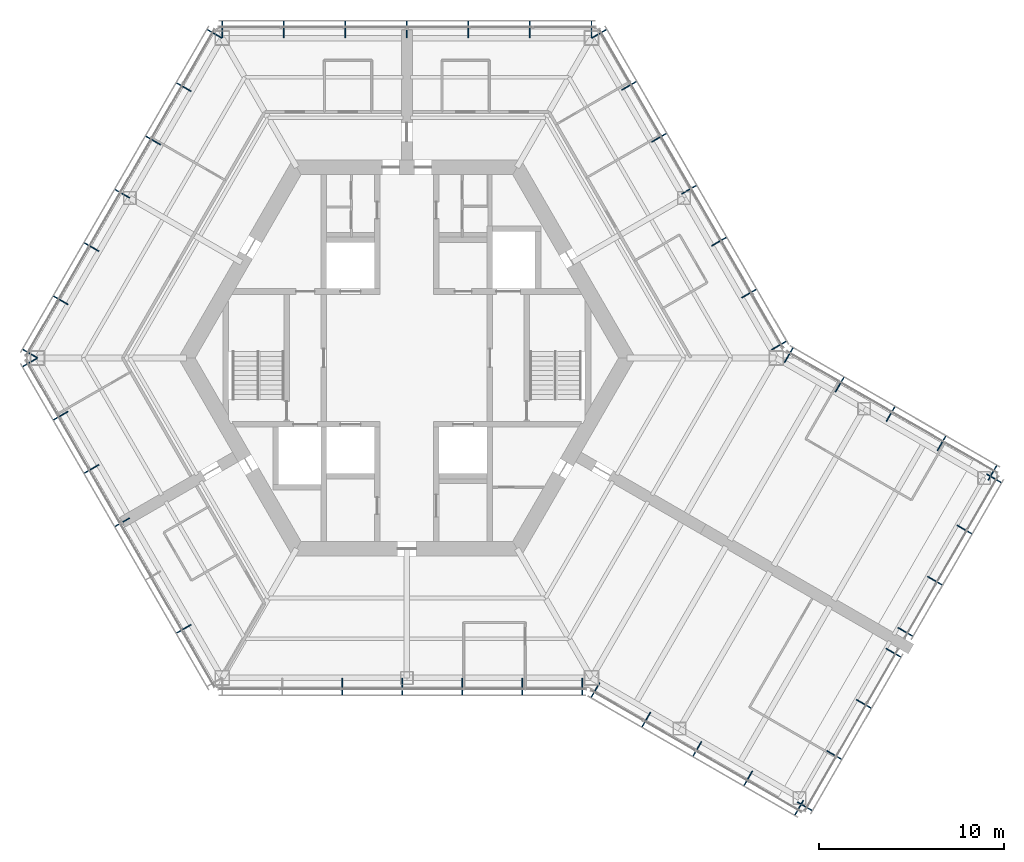
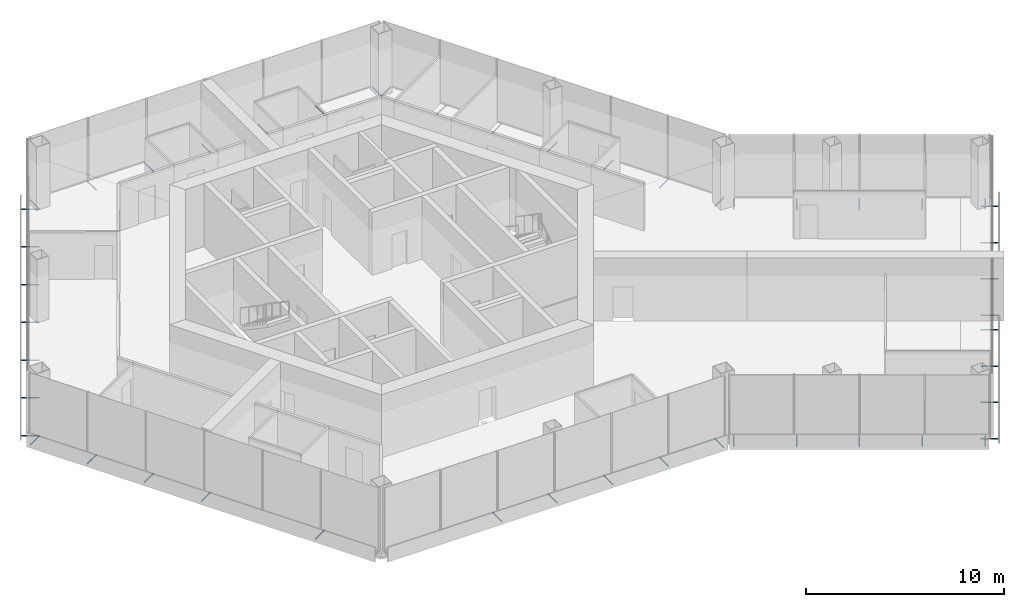
# One storey, part 14 of 15: 49 discrete accessories.
"""IFC4 building model written with IfcOpenShell, lengths in metres."""

from ifc_helpers import new_model, si_unit, direction, frame, origin, origin_2d, place, context, subcontext, project, spatial, hollow_circle, extrude, material, material_profile, profile_set, type_object, element, save


model = new_model("IFC4")

# Units and contexts
model_context = context("Model", 3, precision=1e-05, world=origin(), true_north=direction((0.0, 1.0)))
body_context = subcontext(model_context, "Body", "Model", "MODEL_VIEW")
ifc_project = project(units=[si_unit("LENGTHUNIT", "METRE"), si_unit("AREAUNIT", "SQUARE_METRE"), si_unit("VOLUMEUNIT", "CUBIC_METRE"), si_unit("PLANEANGLEUNIT", "RADIAN"), si_unit("MASSUNIT", "GRAM", prefix="KILO")], contexts=[model_context])

# Site, building, storey
site_placement = place(None, origin())
site = spatial("IfcSite", under=ifc_project, at=site_placement, CompositionType="ELEMENT")
building_placement = place(site_placement, origin())
building = spatial("IfcBuilding", under=site, at=building_placement, Name="Kasaneha Research Tower", CompositionType="ELEMENT")
storey_placement = place(building_placement, frame((0.0, 0.0, 244.0)))
storey = spatial("IfcBuildingStorey", under=building, at=storey_placement, Name="L61", CompositionType="ELEMENT", Elevation=244.0)

# Discrete accessories
ifc_material = material(Name="Steel STK400", Category="steel")
ifc_material_profile = material_profile(ifc_material, hollow_circle(Radius=0.0380859375, WallThickness=0.00390625, at=origin_2d()), Name="CHS-76.3x4.0")
ifc_profile_set = profile_set([ifc_material_profile], Name="Steel STK400")
discrete_accessory_type = type_object("IfcDiscreteAccessoryType", Name="Screen bracket CHS-76.3x4.0", PredefinedType="BRACKET", material=ifc_profile_set)
for number, where, z_axis, x_axis, name in (
    (1, (19.74462890625, 0.4423828125, -0.300048828125), (0.866013213425, 0.500021113727, 0.0), (-0.500021113727, 0.866013213425, 0.0), "Screen bracket 1"),
    (2, (18.120849609375, 3.2548828125, -0.300048828125), (0.866013213425, 0.500021113727, 0.0), (-0.500021113727, 0.866013213425, 0.0), "Screen bracket 2"),
    (3, (16.4970703125, 6.0673828125, -0.300048828125), (0.866013213425, 0.500021113727, 0.0), (-0.500021113727, 0.866013213425, 0.0), "Screen bracket 3"),
    (4, (14.873291015625, 8.8798828125, -0.300048828125), (0.866013213425, 0.500021113727, 0.0), (-0.500021113727, 0.866013213425, 0.0), "Screen bracket 4"),
    (5, (13.24951171875, 11.6923828125, -0.300048828125), (0.866013213425, 0.500021113727, 0.0), (-0.500021113727, 0.866013213425, 0.0), "Screen bracket 5"),
):
    element("IfcDiscreteAccessory", number, at=place(storey_placement, frame(where, z_axis=z_axis, x_axis=x_axis)), inside=storey, type_object=discrete_accessory_type, Name=name, PredefinedType="BRACKET", context=body_context, shape_type="SweptSolid", body=[
        extrude(hollow_circle(Radius=0.0380859375, WallThickness=0.00390625, at=origin_2d()), origin(), (0.0, 0.0, 1.0), 0.919921875),
    ])
for number, where, z_axis, x_axis, name in (
    (6, (11.62548828125, 14.5048828125, -0.300048828125), (0.866079547155, 0.499906209203, 0.0), (-0.499906209203, 0.866079547155, 0.0), "Screen bracket 6"),
    (7, (10.001708984375, 17.3173828125, -0.300048828125), (0.866079547155, 0.499906209203, 0.0), (-0.499906209203, 0.866079547155, 0.0), "Screen bracket 7"),
):
    element("IfcDiscreteAccessory", number, at=place(storey_placement, frame(where, z_axis=z_axis, x_axis=x_axis)), inside=storey, type_object=discrete_accessory_type, Name=name, PredefinedType="BRACKET", context=body_context, shape_type="SweptSolid", body=[
        extrude(hollow_circle(Radius=0.0380859375, WallThickness=0.00390625, at=origin_2d()), origin(), (0.0, 0.0, 1.0), 0.920166015625),
    ])
for number, where, z_axis, x_axis, name in (
    (8, (9.996337890625, 17.320556640625, -0.300048828125), (0.0, 1.0, 0.0), (-1.0, 0.0, 0.0), "Screen bracket 1"),
    (9, (6.664306640625, 17.320556640625, -0.300048828125), (0.0, 1.0, 0.0), (-1.0, 0.0, 0.0), "Screen bracket 2"),
    (10, (3.33203125, 17.320556640625, -0.300048828125), (0.0, 1.0, 0.0), (-1.0, 0.0, 0.0), "Screen bracket 3"),
    (11, (0.0, 17.320556640625, -0.300048828125), (0.0, 1.0, 0.0), (-1.0, 0.0, 0.0), "Screen bracket 4"),
    (12, (-3.33203125, 17.320556640625, -0.300048828125), (0.0, 1.0, 0.0), (-1.0, 0.0, 0.0), "Screen bracket 5"),
    (13, (-6.664306640625, 17.320556640625, -0.300048828125), (0.0, 1.0, 0.0), (-1.0, 0.0, 0.0), "Screen bracket 6"),
    (14, (-9.996337890625, 17.320556640625, -0.300048828125), (0.0, 1.0, 0.0), (-1.0, 0.0, 0.0), "Screen bracket 7"),
):
    element("IfcDiscreteAccessory", number, at=place(storey_placement, frame(where, z_axis=z_axis, x_axis=x_axis)), inside=storey, type_object=discrete_accessory_type, Name=name, PredefinedType="BRACKET", context=body_context, shape_type="SweptSolid", body=[
        extrude(hollow_circle(Radius=0.0380859375, WallThickness=0.00390625, at=origin_2d()), origin(), (0.0, 0.0, 1.0), 0.919921875),
    ])
discrete_accessory_1_placement = place(storey_placement, frame((-10.001708984375, 17.3173828125, -0.300048828125), z_axis=(-0.866079547155, 0.499906209203, 0.0), x_axis=(-0.499906209203, -0.866079547155, 0.0)))
element("IfcDiscreteAccessory", 15, at=discrete_accessory_1_placement, inside=storey, type_object=discrete_accessory_type, Name="Screen bracket 1", PredefinedType="BRACKET", context=body_context, shape_type="SweptSolid", body=[
    extrude(hollow_circle(Radius=0.0380859375, WallThickness=0.00390625, at=origin_2d()), origin(), (0.0, 0.0, 1.0), 0.920166015625),
])
for number, where, z_axis, x_axis, name in (
    (16, (-11.66796875, 14.431640625, -0.300048828125), (-0.866013213425, 0.500021113727, 0.0), (-0.500021113727, -0.866013213425, 0.0), "Screen bracket 2"),
    (17, (-13.333984375, 11.5458984375, -0.300048828125), (-0.866013213425, 0.500021113727, 0.0), (-0.500021113727, -0.866013213425, 0.0), "Screen bracket 3"),
    (18, (-15.0, 8.66015625, -0.300048828125), (-0.865898279276, 0.500220121494, 0.0), (-0.500220121494, -0.865898279276, 0.0), "Screen bracket 4"),
):
    element("IfcDiscreteAccessory", number, at=place(storey_placement, frame(where, z_axis=z_axis, x_axis=x_axis)), inside=storey, type_object=discrete_accessory_type, Name=name, PredefinedType="BRACKET", context=body_context, shape_type="SweptSolid", body=[
        extrude(hollow_circle(Radius=0.0380859375, WallThickness=0.00390625, at=origin_2d()), origin(), (0.0, 0.0, 1.0), 0.919921875),
    ])
for number, where, z_axis, x_axis, name in (
    (19, (-16.666015625, 5.774658203125, -0.300048828125), (-0.866079547155, 0.499906209203, 0.0), (-0.499906209203, -0.866079547155, 0.0), "Screen bracket 5"),
    (20, (-18.33203125, 2.888916015625, -0.300048828125), (-0.866079547155, 0.499906209203, 0.0), (-0.499906209203, -0.866079547155, 0.0), "Screen bracket 6"),
):
    element("IfcDiscreteAccessory", number, at=place(storey_placement, frame(where, z_axis=z_axis, x_axis=x_axis)), inside=storey, type_object=discrete_accessory_type, Name=name, PredefinedType="BRACKET", context=body_context, shape_type="SweptSolid", body=[
        extrude(hollow_circle(Radius=0.0380859375, WallThickness=0.00390625, at=origin_2d()), origin(), (0.0, 0.0, 1.0), 0.920166015625),
    ])
for number, where, z_axis, x_axis, name in (
    (21, (-19.998291015625, 0.003173828125, -0.300048828125), (-0.866013213425, 0.500021113727, 0.0), (-0.500021113727, -0.866013213425, 0.0), "Screen bracket 7"),
    (22, (-19.998291015625, -0.003173828125, -0.300048828125), (-0.866013213425, -0.500021113727, 0.0), (0.500021113727, -0.866013213425, 0.0), "Screen bracket 1"),
):
    element("IfcDiscreteAccessory", number, at=place(storey_placement, frame(where, z_axis=z_axis, x_axis=x_axis)), inside=storey, type_object=discrete_accessory_type, Name=name, PredefinedType="BRACKET", context=body_context, shape_type="SweptSolid", body=[
        extrude(hollow_circle(Radius=0.0380859375, WallThickness=0.00390625, at=origin_2d()), origin(), (0.0, 0.0, 1.0), 0.919921875),
    ])
for number, where, z_axis, x_axis, name in (
    (23, (-18.33203125, -2.888916015625, -0.300048828125), (-0.866079547155, -0.499906209203, 0.0), (0.499906209203, -0.866079547155, 0.0), "Screen bracket 2"),
    (24, (-16.666015625, -5.774658203125, -0.300048828125), (-0.866079547155, -0.499906209203, 0.0), (0.499906209203, -0.866079547155, 0.0), "Screen bracket 3"),
):
    element("IfcDiscreteAccessory", number, at=place(storey_placement, frame(where, z_axis=z_axis, x_axis=x_axis)), inside=storey, type_object=discrete_accessory_type, Name=name, PredefinedType="BRACKET", context=body_context, shape_type="SweptSolid", body=[
        extrude(hollow_circle(Radius=0.0380859375, WallThickness=0.00390625, at=origin_2d()), origin(), (0.0, 0.0, 1.0), 0.920166015625),
    ])
for number, where, z_axis, x_axis, name in (
    (25, (-15.0, -8.66015625, -0.300048828125), (-0.865898279276, -0.500220121494, 0.0), (0.500220121494, -0.865898279276, 0.0), "Screen bracket 4"),
    (26, (-11.66796875, -14.431640625, -0.300048828125), (-0.866013213425, -0.500021113727, 0.0), (0.500021113727, -0.866013213425, 0.0), "Screen bracket 6"),
    (27, (-3.501220703125, -17.320556640625, -0.300048828125), (0.0, -1.0, 0.0), (1.0, 0.0, 0.0), "Screen bracket 3"),
    (28, (-0.253662109375, -17.320556640625, -0.300048828125), (0.0, -1.0, 0.0), (1.0, 0.0, 0.0), "Screen bracket 4"),
    (29, (2.993896484375, -17.320556640625, -0.300048828125), (0.0, -1.0, 0.0), (1.0, 0.0, 0.0), "Screen bracket 5"),
    (30, (6.24169921875, -17.320556640625, -0.300048828125), (0.0, -1.0, 0.0), (1.0, 0.0, 0.0), "Screen bracket 6"),
    (31, (9.4892578125, -17.320556640625, -0.300048828125), (0.0, -1.0, 0.0), (1.0, 0.0, 0.0), "Screen bracket 7"),
    (32, (10.4423828125, -17.575927734375, -0.300048828125), (-0.500021113727, -0.866013213425, 0.0), (0.866013213425, -0.500021113727, 0.0), "Screen bracket 1"),
):
    element("IfcDiscreteAccessory", number, at=place(storey_placement, frame(where, z_axis=z_axis, x_axis=x_axis)), inside=storey, type_object=discrete_accessory_type, Name=name, PredefinedType="BRACKET", context=body_context, shape_type="SweptSolid", body=[
        extrude(hollow_circle(Radius=0.0380859375, WallThickness=0.00390625, at=origin_2d()), origin(), (0.0, 0.0, 1.0), 0.919921875),
    ])
discrete_accessory_2_placement = place(storey_placement, frame((13.200439453125, -19.168212890625, -0.300048828125), z_axis=(-0.499906209203, -0.866079547155, 0.0), x_axis=(0.866079547155, -0.499906209203, 0.0)))
element("IfcDiscreteAccessory", 33, at=discrete_accessory_2_placement, inside=storey, type_object=discrete_accessory_type, Name="Screen bracket 2", PredefinedType="BRACKET", context=body_context, shape_type="SweptSolid", body=[
    extrude(hollow_circle(Radius=0.0380859375, WallThickness=0.00390625, at=origin_2d()), origin(), (0.0, 0.0, 1.0), 0.920166015625),
])
discrete_accessory_3_placement = place(storey_placement, frame((15.95849609375, -20.7607421875, -0.300048828125), z_axis=(-0.500021113727, -0.866013213425, 0.0), x_axis=(0.866013213425, -0.500021113727, 0.0)))
element("IfcDiscreteAccessory", 34, at=discrete_accessory_3_placement, inside=storey, type_object=discrete_accessory_type, Name="Screen bracket 3", PredefinedType="BRACKET", context=body_context, shape_type="SweptSolid", body=[
    extrude(hollow_circle(Radius=0.0380859375, WallThickness=0.00390625, at=origin_2d()), origin(), (0.0, 0.0, 1.0), 0.919921875),
])
discrete_accessory_4_placement = place(storey_placement, frame((18.716796875, -22.35302734375, -0.300048828125), z_axis=(-0.500105201737, -0.865964657013, 0.0), x_axis=(0.865964657013, -0.500105201737, 0.0)))
element("IfcDiscreteAccessory", 35, at=discrete_accessory_4_placement, inside=storey, type_object=discrete_accessory_type, Name="Screen bracket 4", PredefinedType="BRACKET", context=body_context, shape_type="SweptSolid", body=[
    extrude(hollow_circle(Radius=0.0380859375, WallThickness=0.00390625, at=origin_2d()), origin(), (0.0, 0.0, 1.0), 0.920166015625),
])
discrete_accessory_5_placement = place(storey_placement, frame((21.474853515625, -23.945556640625, -0.300048828125), z_axis=(-0.500021113727, -0.866013213425, 0.0), x_axis=(0.866013213425, -0.500021113727, 0.0)))
element("IfcDiscreteAccessory", 36, at=discrete_accessory_5_placement, inside=storey, type_object=discrete_accessory_type, Name="Screen bracket 5", PredefinedType="BRACKET", context=body_context, shape_type="SweptSolid", body=[
    extrude(hollow_circle(Radius=0.0380859375, WallThickness=0.00390625, at=origin_2d()), origin(), (0.0, 0.0, 1.0), 0.919921875),
])
discrete_accessory_6_placement = place(storey_placement, frame((21.13330078125, -24.037109375, -0.300048828125), z_axis=(0.866079547155, -0.499906209203, 0.0), x_axis=(0.499906209203, 0.866079547155, 0.0)))
element("IfcDiscreteAccessory", 37, at=discrete_accessory_6_placement, inside=storey, type_object=discrete_accessory_type, Name="Screen bracket 1", PredefinedType="BRACKET", context=body_context, shape_type="SweptSolid", body=[
    extrude(hollow_circle(Radius=0.0380859375, WallThickness=0.00390625, at=origin_2d()), origin(), (0.0, 0.0, 1.0), 0.920166015625),
])
discrete_accessory_7_placement = place(storey_placement, frame((22.7333984375, -21.265625, -0.300048828125), z_axis=(0.865898279276, -0.500220121494, 0.0), x_axis=(0.500220121494, 0.865898279276, 0.0)))
element("IfcDiscreteAccessory", 38, at=discrete_accessory_7_placement, inside=storey, type_object=discrete_accessory_type, Name="Screen bracket 2", PredefinedType="BRACKET", context=body_context, shape_type="SweptSolid", body=[
    extrude(hollow_circle(Radius=0.0380859375, WallThickness=0.00390625, at=origin_2d()), origin(), (0.0, 0.0, 1.0), 0.919921875),
])
discrete_accessory_8_placement = place(storey_placement, frame((24.333251953125, -18.494384765625, -0.300048828125), z_axis=(0.866079547155, -0.499906209203, 0.0), x_axis=(0.499906209203, 0.866079547155, 0.0)))
element("IfcDiscreteAccessory", 39, at=discrete_accessory_8_placement, inside=storey, type_object=discrete_accessory_type, Name="Screen bracket 3", PredefinedType="BRACKET", context=body_context, shape_type="SweptSolid", body=[
    extrude(hollow_circle(Radius=0.0380859375, WallThickness=0.00390625, at=origin_2d()), origin(), (0.0, 0.0, 1.0), 0.920166015625),
])
discrete_accessory_9_placement = place(storey_placement, frame((25.933349609375, -15.72314453125, -0.300048828125), z_axis=(0.866013213425, -0.500021113727, 0.0), x_axis=(0.500021113727, 0.866013213425, 0.0)))
element("IfcDiscreteAccessory", 40, at=discrete_accessory_9_placement, inside=storey, type_object=discrete_accessory_type, Name="Screen bracket 4", PredefinedType="BRACKET", context=body_context, shape_type="SweptSolid", body=[
    extrude(hollow_circle(Radius=0.0380859375, WallThickness=0.00390625, at=origin_2d()), origin(), (0.0, 0.0, 1.0), 0.919921875),
])
discrete_accessory_10_placement = place(storey_placement, frame((26.583251953125, -14.597412109375, -0.300048828125), z_axis=(0.866079547155, -0.499906209203, 0.0), x_axis=(0.499906209203, 0.866079547155, 0.0)))
element("IfcDiscreteAccessory", 41, at=discrete_accessory_10_placement, inside=storey, type_object=discrete_accessory_type, Name="Screen bracket 1", PredefinedType="BRACKET", context=body_context, shape_type="SweptSolid", body=[
    extrude(hollow_circle(Radius=0.0380859375, WallThickness=0.00390625, at=origin_2d()), origin(), (0.0, 0.0, 1.0), 0.920166015625),
])
for number, where, z_axis, x_axis, name in (
    (42, (28.183349609375, -11.826171875, -0.300048828125), (0.866013213425, -0.500021113727, 0.0), (0.500021113727, 0.866013213425, 0.0), "Screen bracket 2"),
    (43, (29.783447265625, -9.0546875, -0.300048828125), (0.865898279276, -0.500220121494, 0.0), (0.500220121494, 0.865898279276, 0.0), "Screen bracket 3"),
):
    element("IfcDiscreteAccessory", number, at=place(storey_placement, frame(where, z_axis=z_axis, x_axis=x_axis)), inside=storey, type_object=discrete_accessory_type, Name=name, PredefinedType="BRACKET", context=body_context, shape_type="SweptSolid", body=[
        extrude(hollow_circle(Radius=0.0380859375, WallThickness=0.00390625, at=origin_2d()), origin(), (0.0, 0.0, 1.0), 0.919921875),
    ])
discrete_accessory_11_placement = place(storey_placement, frame((31.38330078125, -6.283447265625, -0.300048828125), z_axis=(0.866079547155, -0.499906209203, 0.0), x_axis=(0.499906209203, 0.866079547155, 0.0)))
element("IfcDiscreteAccessory", 44, at=discrete_accessory_11_placement, inside=storey, type_object=discrete_accessory_type, Name="Screen bracket 4", PredefinedType="BRACKET", context=body_context, shape_type="SweptSolid", body=[
    extrude(hollow_circle(Radius=0.0380859375, WallThickness=0.00390625, at=origin_2d()), origin(), (0.0, 0.0, 1.0), 0.920166015625),
])
discrete_accessory_12_placement = place(storey_placement, frame((31.474853515625, -6.625, -0.300048828125), z_axis=(0.500021113727, 0.866013213425, 0.0), x_axis=(-0.866013213425, 0.500021113727, 0.0)))
element("IfcDiscreteAccessory", 45, at=discrete_accessory_12_placement, inside=storey, type_object=discrete_accessory_type, Name="Screen bracket 1", PredefinedType="BRACKET", context=body_context, shape_type="SweptSolid", body=[
    extrude(hollow_circle(Radius=0.0380859375, WallThickness=0.00390625, at=origin_2d()), origin(), (0.0, 0.0, 1.0), 0.919921875),
])
discrete_accessory_13_placement = place(storey_placement, frame((28.716796875, -5.03271484375, -0.300048828125), z_axis=(0.499906209203, 0.866079547155, 0.0), x_axis=(-0.866079547155, 0.499906209203, 0.0)))
element("IfcDiscreteAccessory", 46, at=discrete_accessory_13_placement, inside=storey, type_object=discrete_accessory_type, Name="Screen bracket 2", PredefinedType="BRACKET", context=body_context, shape_type="SweptSolid", body=[
    extrude(hollow_circle(Radius=0.0380859375, WallThickness=0.00390625, at=origin_2d()), origin(), (0.0, 0.0, 1.0), 0.920166015625),
])
discrete_accessory_14_placement = place(storey_placement, frame((25.95849609375, -3.440185546875, -0.300048828125), z_axis=(0.500220121494, 0.865898279276, 0.0), x_axis=(-0.865898279276, 0.500220121494, 0.0)))
element("IfcDiscreteAccessory", 47, at=discrete_accessory_14_placement, inside=storey, type_object=discrete_accessory_type, Name="Screen bracket 3", PredefinedType="BRACKET", context=body_context, shape_type="SweptSolid", body=[
    extrude(hollow_circle(Radius=0.0380859375, WallThickness=0.00390625, at=origin_2d()), origin(), (0.0, 0.0, 1.0), 0.919921875),
])
discrete_accessory_15_placement = place(storey_placement, frame((23.200439453125, -1.847900390625, -0.300048828125), z_axis=(0.499906209203, 0.866079547155, 0.0), x_axis=(-0.866079547155, 0.499906209203, 0.0)))
element("IfcDiscreteAccessory", 48, at=discrete_accessory_15_placement, inside=storey, type_object=discrete_accessory_type, Name="Screen bracket 4", PredefinedType="BRACKET", context=body_context, shape_type="SweptSolid", body=[
    extrude(hollow_circle(Radius=0.0380859375, WallThickness=0.00390625, at=origin_2d()), origin(), (0.0, 0.0, 1.0), 0.920166015625),
])
discrete_accessory_16_placement = place(storey_placement, frame((20.4423828125, -0.25537109375, -0.300048828125), z_axis=(0.500021113727, 0.866013213425, 0.0), x_axis=(-0.866013213425, 0.500021113727, 0.0)))
element("IfcDiscreteAccessory", 49, at=discrete_accessory_16_placement, inside=storey, type_object=discrete_accessory_type, Name="Screen bracket 5", PredefinedType="BRACKET", context=body_context, shape_type="SweptSolid", body=[
    extrude(hollow_circle(Radius=0.0380859375, WallThickness=0.00390625, at=origin_2d()), origin(), (0.0, 0.0, 1.0), 0.919921875),
])

save(model, "model.ifc")
